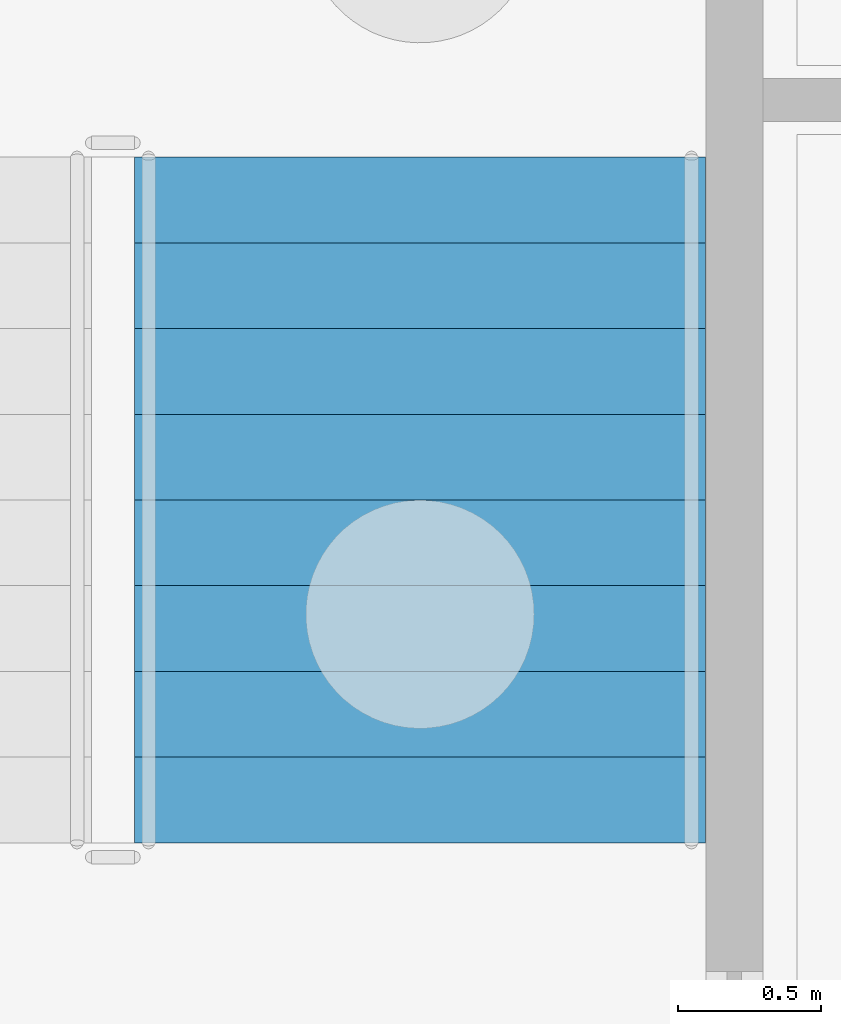
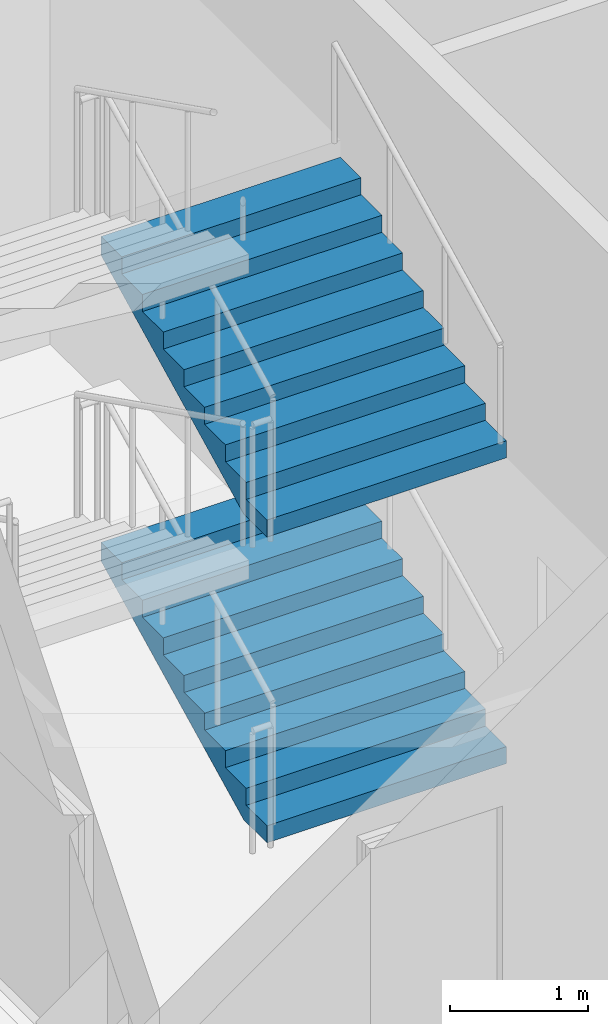
# One storey, part 81 of 129: 2 stair flights, 1 element without a shape of its own.
"""IFC4 building model written with IfcOpenShell, lengths in metres."""

from ifc_helpers import new_model, si_unit, direction, frame, origin, place, context, subcontext, project, spatial, faceted_brep, material, type_object, element, aggregate, save


model = new_model("IFC4")

# Units and contexts
model_context = context("Model", 3, precision=1e-05, world=origin(), true_north=direction((0.0, 1.0)))
body_context = subcontext(model_context, "Body", "Model", "MODEL_VIEW")
ifc_project = project(units=[si_unit("LENGTHUNIT", "METRE"), si_unit("AREAUNIT", "SQUARE_METRE"), si_unit("VOLUMEUNIT", "CUBIC_METRE"), si_unit("PLANEANGLEUNIT", "RADIAN"), si_unit("MASSUNIT", "GRAM", prefix="KILO")], contexts=[model_context])

# Site, building, storey
site_placement = place(None, origin())
site = spatial("IfcSite", under=ifc_project, at=site_placement, CompositionType="ELEMENT")
building_placement = place(site_placement, origin())
building = spatial("IfcBuilding", under=site, at=building_placement, Name="Kiln Court Media Centre", CompositionType="ELEMENT")
storey_placement = place(building_placement, origin())
storey = spatial("IfcBuildingStorey", under=building, at=storey_placement, Name="L00", CompositionType="ELEMENT", Elevation=0.0)

# Stair, stair flights
ifc_material_1 = material(Name="Concrete C40/50", Category="concrete")
stair_type = type_object("IfcStairType", Name="Concrete C40/50 dog-leg stair 2000 wide, 150 riser", PredefinedType="HALF_TURN_STAIR", material=ifc_material_1)
stair_placement = place(storey_placement, origin())
stair = element("IfcStair", 1, at=stair_placement, inside=storey, type_object=stair_type, Name="ST-09 L00", PredefinedType="HALF_TURN_STAIR")
ifc_material_2 = material(Name="Concrete C40/50", Category="concrete")
stair_flight_type = type_object("IfcStairFlightType", Name="Concrete C40/50 stair flight 2000 wide, 150 riser, 300 going", PredefinedType="STRAIGHT", material=ifc_material_2)
stair_flight_1_placement = place(storey_placement, frame((66.0, 28.0, 0.0), z_axis=(0.0, 0.0, 1.0), x_axis=(0.0, 1.0, 0.0)))
stair_flight_1 = element("IfcStairFlight", 2, at=stair_flight_1_placement, type_object=stair_flight_type, Name="L00-ST-5008 flight 5032", NumberOfRisers=9, NumberOfTreads=8, PredefinedType="STRAIGHT", RiserHeight=0.15, TreadLength=0.3, context=body_context, shape_type="Brep", body=[
    faceted_brep([(0.335205078125, -1.0, 0.0), (2.39990234375, -1.0, 1.032470703125), (2.39990234375, -1.0, 1.199951171875), (2.10009765625, -1.0, 1.199951171875), (2.10009765625, -1.0, 1.050048828125), (1.800048828125, -1.0, 1.050048828125), (1.800048828125, -1.0, 0.89990234375), (1.5, -1.0, 0.89990234375), (1.5, -1.0, 0.75), (1.199951171875, -1.0, 0.75), (1.199951171875, -1.0, 0.60009765625), (0.89990234375, -1.0, 0.60009765625), (0.89990234375, -1.0, 0.449951171875), (0.60009765625, -1.0, 0.449951171875), (0.60009765625, -1.0, 0.300048828125), (0.300048828125, -1.0, 0.300048828125), (0.300048828125, -1.0, 0.14990234375), (0.0, -1.0, 0.14990234375), (0.0, -1.0, 0.0), (0.0, 1.0, 0.0), (0.0, 1.0, 0.14990234375), (0.300048828125, 1.0, 0.14990234375), (0.300048828125, 1.0, 0.300048828125), (0.60009765625, 1.0, 0.300048828125), (0.60009765625, 1.0, 0.449951171875), (0.89990234375, 1.0, 0.449951171875), (0.89990234375, 1.0, 0.60009765625), (1.199951171875, 1.0, 0.60009765625), (1.199951171875, 1.0, 0.75), (1.5, 1.0, 0.75), (1.5, 1.0, 0.89990234375), (1.800048828125, 1.0, 0.89990234375), (1.800048828125, 1.0, 1.050048828125), (2.10009765625, 1.0, 1.050048828125), (2.10009765625, 1.0, 1.199951171875), (2.39990234375, 1.0, 1.199951171875), (2.39990234375, 1.0, 1.032470703125), (0.335205078125, 1.0, 0.0), (2.39990234375, 0.10009765625, 1.032470703125), (0.335205078125, 0.10009765625, 0.0), (2.39990234375, 0.080078125, 1.032470703125), (0.335205078125, 0.080078125, 0.0), (2.39990234375, 0.06005859375, 1.032470703125), (0.335205078125, 0.06005859375, 0.0), (2.39990234375, 0.0400390625, 1.032470703125), (0.335205078125, 0.0400390625, 0.0), (2.39990234375, 0.02001953125, 1.032470703125), (0.335205078125, 0.02001953125, 0.0), (2.39990234375, 0.0, 1.032470703125), (0.335205078125, 0.0, 0.0), (2.39990234375, -0.02001953125, 1.032470703125), (0.335205078125, -0.02001953125, 0.0), (2.39990234375, -0.0400390625, 1.032470703125), (0.335205078125, -0.0400390625, 0.0), (2.39990234375, -0.06005859375, 1.032470703125), (0.335205078125, -0.06005859375, 0.0), (2.39990234375, -0.080078125, 1.032470703125), (0.335205078125, -0.080078125, 0.0), (2.39990234375, -0.10009765625, 1.032470703125), (0.335205078125, -0.10009765625, 0.0), (2.39990234375, 0.10009765625, 1.199951171875), (2.39990234375, 0.080078125, 1.199951171875), (2.39990234375, 0.06005859375, 1.199951171875), (2.39990234375, 0.0400390625, 1.199951171875), (2.39990234375, 0.02001953125, 1.199951171875), (2.39990234375, 0.0, 1.199951171875), (2.39990234375, -0.02001953125, 1.199951171875), (2.39990234375, -0.0400390625, 1.199951171875), (2.39990234375, -0.06005859375, 1.199951171875), (2.39990234375, -0.080078125, 1.199951171875), (2.39990234375, -0.10009765625, 1.199951171875), (2.10009765625, 0.10009765625, 1.199951171875), (2.10009765625, 0.080078125, 1.199951171875), (2.10009765625, 0.06005859375, 1.199951171875), (2.10009765625, 0.0400390625, 1.199951171875), (2.10009765625, 0.02001953125, 1.199951171875), (2.10009765625, 0.0, 1.199951171875), (2.10009765625, -0.02001953125, 1.199951171875), (2.10009765625, -0.0400390625, 1.199951171875), (2.10009765625, -0.06005859375, 1.199951171875), (2.10009765625, -0.080078125, 1.199951171875), (2.10009765625, -0.10009765625, 1.199951171875), (2.10009765625, 0.10009765625, 1.050048828125), (2.10009765625, 0.080078125, 1.050048828125), (2.10009765625, 0.06005859375, 1.050048828125), (2.10009765625, 0.0400390625, 1.050048828125), (2.10009765625, 0.02001953125, 1.050048828125), (2.10009765625, 0.0, 1.050048828125), (2.10009765625, -0.02001953125, 1.050048828125), (2.10009765625, -0.0400390625, 1.050048828125), (2.10009765625, -0.06005859375, 1.050048828125), (2.10009765625, -0.080078125, 1.050048828125), (2.10009765625, -0.10009765625, 1.050048828125), (1.800048828125, 0.10009765625, 1.050048828125), (1.800048828125, 0.080078125, 1.050048828125), (1.800048828125, 0.06005859375, 1.050048828125), (1.800048828125, 0.0400390625, 1.050048828125), (1.800048828125, 0.02001953125, 1.050048828125), (1.800048828125, 0.0, 1.050048828125), (1.800048828125, -0.02001953125, 1.050048828125), (1.800048828125, -0.0400390625, 1.050048828125), (1.800048828125, -0.06005859375, 1.050048828125), (1.800048828125, -0.080078125, 1.050048828125), (1.800048828125, -0.10009765625, 1.050048828125), (1.800048828125, 0.10009765625, 0.89990234375), (1.800048828125, 0.080078125, 0.89990234375), (1.800048828125, 0.06005859375, 0.89990234375), (1.800048828125, 0.0400390625, 0.89990234375), (1.800048828125, 0.02001953125, 0.89990234375), (1.800048828125, 0.0, 0.89990234375), (1.800048828125, -0.02001953125, 0.89990234375), (1.800048828125, -0.0400390625, 0.89990234375), (1.800048828125, -0.06005859375, 0.89990234375), (1.800048828125, -0.080078125, 0.89990234375), (1.800048828125, -0.10009765625, 0.89990234375), (1.5, 0.10009765625, 0.89990234375), (1.5, 0.080078125, 0.89990234375), (1.5, 0.06005859375, 0.89990234375), (1.5, 0.0400390625, 0.89990234375), (1.5, 0.02001953125, 0.89990234375), (1.5, 0.0, 0.89990234375), (1.5, -0.02001953125, 0.89990234375), (1.5, -0.0400390625, 0.89990234375), (1.5, -0.06005859375, 0.89990234375), (1.5, -0.080078125, 0.89990234375), (1.5, -0.10009765625, 0.89990234375), (1.5, 0.10009765625, 0.75), (1.5, 0.080078125, 0.75), (1.5, 0.06005859375, 0.75), (1.5, 0.0400390625, 0.75), (1.5, 0.02001953125, 0.75), (1.5, 0.0, 0.75), (1.5, -0.02001953125, 0.75), (1.5, -0.0400390625, 0.75), (1.5, -0.06005859375, 0.75), (1.5, -0.080078125, 0.75), (1.5, -0.10009765625, 0.75), (1.199951171875, 0.10009765625, 0.75), (1.199951171875, 0.080078125, 0.75), (1.199951171875, 0.06005859375, 0.75), (1.199951171875, 0.0400390625, 0.75), (1.199951171875, 0.02001953125, 0.75), (1.199951171875, 0.0, 0.75), (1.199951171875, -0.02001953125, 0.75), (1.199951171875, -0.0400390625, 0.75), (1.199951171875, -0.06005859375, 0.75), (1.199951171875, -0.080078125, 0.75), (1.199951171875, -0.10009765625, 0.75), (1.199951171875, 0.10009765625, 0.60009765625), (1.199951171875, 0.080078125, 0.60009765625), (1.199951171875, 0.06005859375, 0.60009765625), (1.199951171875, 0.0400390625, 0.60009765625), (1.199951171875, 0.02001953125, 0.60009765625), (1.199951171875, 0.0, 0.60009765625), (1.199951171875, -0.02001953125, 0.60009765625), (1.199951171875, -0.0400390625, 0.60009765625), (1.199951171875, -0.06005859375, 0.60009765625), (1.199951171875, -0.080078125, 0.60009765625), (1.199951171875, -0.10009765625, 0.60009765625), (0.89990234375, 0.10009765625, 0.60009765625), (0.89990234375, 0.080078125, 0.60009765625), (0.89990234375, 0.06005859375, 0.60009765625), (0.89990234375, 0.0400390625, 0.60009765625), (0.89990234375, 0.02001953125, 0.60009765625), (0.89990234375, 0.0, 0.60009765625), (0.89990234375, -0.02001953125, 0.60009765625), (0.89990234375, -0.0400390625, 0.60009765625), (0.89990234375, -0.06005859375, 0.60009765625), (0.89990234375, -0.080078125, 0.60009765625), (0.89990234375, -0.10009765625, 0.60009765625), (0.89990234375, 0.10009765625, 0.449951171875), (0.89990234375, 0.080078125, 0.449951171875), (0.89990234375, 0.06005859375, 0.449951171875), (0.89990234375, 0.0400390625, 0.449951171875), (0.89990234375, 0.02001953125, 0.449951171875), (0.89990234375, 0.0, 0.449951171875), (0.89990234375, -0.02001953125, 0.449951171875), (0.89990234375, -0.0400390625, 0.449951171875), (0.89990234375, -0.06005859375, 0.449951171875), (0.89990234375, -0.080078125, 0.449951171875), (0.89990234375, -0.10009765625, 0.449951171875), (0.60009765625, 0.10009765625, 0.449951171875), (0.60009765625, 0.080078125, 0.449951171875), (0.60009765625, 0.06005859375, 0.449951171875), (0.60009765625, 0.0400390625, 0.449951171875), (0.60009765625, 0.02001953125, 0.449951171875), (0.60009765625, 0.0, 0.449951171875), (0.60009765625, -0.02001953125, 0.449951171875), (0.60009765625, -0.0400390625, 0.449951171875), (0.60009765625, -0.06005859375, 0.449951171875), (0.60009765625, -0.080078125, 0.449951171875), (0.60009765625, -0.10009765625, 0.449951171875), (0.60009765625, 0.10009765625, 0.300048828125), (0.60009765625, 0.080078125, 0.300048828125), (0.60009765625, 0.06005859375, 0.300048828125), (0.60009765625, 0.0400390625, 0.300048828125), (0.60009765625, 0.02001953125, 0.300048828125), (0.60009765625, 0.0, 0.300048828125), (0.60009765625, -0.02001953125, 0.300048828125), (0.60009765625, -0.0400390625, 0.300048828125), (0.60009765625, -0.06005859375, 0.300048828125), (0.60009765625, -0.080078125, 0.300048828125), (0.60009765625, -0.10009765625, 0.300048828125), (0.300048828125, 0.10009765625, 0.300048828125), (0.300048828125, 0.080078125, 0.300048828125), (0.300048828125, 0.06005859375, 0.300048828125), (0.300048828125, 0.0400390625, 0.300048828125), (0.300048828125, 0.02001953125, 0.300048828125), (0.300048828125, 0.0, 0.300048828125), (0.300048828125, -0.02001953125, 0.300048828125), (0.300048828125, -0.0400390625, 0.300048828125), (0.300048828125, -0.06005859375, 0.300048828125), (0.300048828125, -0.080078125, 0.300048828125), (0.300048828125, -0.10009765625, 0.300048828125), (0.300048828125, 0.10009765625, 0.14990234375), (0.300048828125, 0.080078125, 0.14990234375), (0.300048828125, 0.06005859375, 0.14990234375), (0.300048828125, 0.0400390625, 0.14990234375), (0.300048828125, 0.02001953125, 0.14990234375), (0.300048828125, 0.0, 0.14990234375), (0.300048828125, -0.02001953125, 0.14990234375), (0.300048828125, -0.0400390625, 0.14990234375), (0.300048828125, -0.06005859375, 0.14990234375), (0.300048828125, -0.080078125, 0.14990234375), (0.300048828125, -0.10009765625, 0.14990234375), (0.0, 0.10009765625, 0.14990234375), (0.0, 0.080078125, 0.14990234375), (0.0, 0.06005859375, 0.14990234375), (0.0, 0.0400390625, 0.14990234375), (0.0, 0.02001953125, 0.14990234375), (0.0, 0.0, 0.14990234375), (0.0, -0.02001953125, 0.14990234375), (0.0, -0.0400390625, 0.14990234375), (0.0, -0.06005859375, 0.14990234375), (0.0, -0.080078125, 0.14990234375), (0.0, -0.10009765625, 0.14990234375), (0.0, 0.10009765625, 0.0), (0.0, 0.080078125, 0.0), (0.0, 0.06005859375, 0.0), (0.0, 0.0400390625, 0.0), (0.0, 0.02001953125, 0.0), (0.0, 0.0, 0.0), (0.0, -0.02001953125, 0.0), (0.0, -0.0400390625, 0.0), (0.0, -0.06005859375, 0.0), (0.0, -0.080078125, 0.0), (0.0, -0.10009765625, 0.0)], [[[0, 1, 2, 3, 4, 5, 6, 7, 8, 9, 10, 11, 12, 13, 14, 15, 16, 17, 18]], [[19, 20, 21, 22, 23, 24, 25, 26, 27, 28, 29, 30, 31, 32, 33, 34, 35, 36, 37]], [[37, 36, 38, 39]], [[39, 38, 40, 41]], [[41, 40, 42, 43]], [[43, 42, 44, 45]], [[45, 44, 46, 47]], [[47, 46, 48, 49]], [[49, 48, 50, 51]], [[51, 50, 52, 53]], [[53, 52, 54, 55]], [[55, 54, 56, 57]], [[57, 56, 58, 59]], [[59, 58, 1, 0]], [[36, 35, 60, 38]], [[38, 60, 61, 40]], [[40, 61, 62, 42]], [[42, 62, 63, 44]], [[44, 63, 64, 46]], [[46, 64, 65, 48]], [[48, 65, 66, 50]], [[50, 66, 67, 52]], [[52, 67, 68, 54]], [[54, 68, 69, 56]], [[56, 69, 70, 58]], [[58, 70, 2, 1]], [[35, 34, 71, 60]], [[60, 71, 72, 61]], [[61, 72, 73, 62]], [[62, 73, 74, 63]], [[63, 74, 75, 64]], [[64, 75, 76, 65]], [[65, 76, 77, 66]], [[66, 77, 78, 67]], [[67, 78, 79, 68]], [[68, 79, 80, 69]], [[69, 80, 81, 70]], [[70, 81, 3, 2]], [[34, 33, 82, 71]], [[71, 82, 83, 72]], [[72, 83, 84, 73]], [[73, 84, 85, 74]], [[74, 85, 86, 75]], [[75, 86, 87, 76]], [[76, 87, 88, 77]], [[77, 88, 89, 78]], [[78, 89, 90, 79]], [[79, 90, 91, 80]], [[80, 91, 92, 81]], [[81, 92, 4, 3]], [[33, 32, 93, 82]], [[82, 93, 94, 83]], [[83, 94, 95, 84]], [[84, 95, 96, 85]], [[85, 96, 97, 86]], [[86, 97, 98, 87]], [[87, 98, 99, 88]], [[88, 99, 100, 89]], [[89, 100, 101, 90]], [[90, 101, 102, 91]], [[91, 102, 103, 92]], [[92, 103, 5, 4]], [[32, 31, 104, 93]], [[93, 104, 105, 94]], [[94, 105, 106, 95]], [[95, 106, 107, 96]], [[96, 107, 108, 97]], [[97, 108, 109, 98]], [[98, 109, 110, 99]], [[99, 110, 111, 100]], [[100, 111, 112, 101]], [[101, 112, 113, 102]], [[102, 113, 114, 103]], [[103, 114, 6, 5]], [[31, 30, 115, 104]], [[104, 115, 116, 105]], [[105, 116, 117, 106]], [[106, 117, 118, 107]], [[107, 118, 119, 108]], [[108, 119, 120, 109]], [[109, 120, 121, 110]], [[110, 121, 122, 111]], [[111, 122, 123, 112]], [[112, 123, 124, 113]], [[113, 124, 125, 114]], [[114, 125, 7, 6]], [[30, 29, 126, 115]], [[115, 126, 127, 116]], [[116, 127, 128, 117]], [[117, 128, 129, 118]], [[118, 129, 130, 119]], [[119, 130, 131, 120]], [[120, 131, 132, 121]], [[121, 132, 133, 122]], [[122, 133, 134, 123]], [[123, 134, 135, 124]], [[124, 135, 136, 125]], [[125, 136, 8, 7]], [[29, 28, 137, 126]], [[126, 137, 138, 127]], [[127, 138, 139, 128]], [[128, 139, 140, 129]], [[129, 140, 141, 130]], [[130, 141, 142, 131]], [[131, 142, 143, 132]], [[132, 143, 144, 133]], [[133, 144, 145, 134]], [[134, 145, 146, 135]], [[135, 146, 147, 136]], [[136, 147, 9, 8]], [[28, 27, 148, 137]], [[137, 148, 149, 138]], [[138, 149, 150, 139]], [[139, 150, 151, 140]], [[140, 151, 152, 141]], [[141, 152, 153, 142]], [[142, 153, 154, 143]], [[143, 154, 155, 144]], [[144, 155, 156, 145]], [[145, 156, 157, 146]], [[146, 157, 158, 147]], [[147, 158, 10, 9]], [[27, 26, 159, 148]], [[148, 159, 160, 149]], [[149, 160, 161, 150]], [[150, 161, 162, 151]], [[151, 162, 163, 152]], [[152, 163, 164, 153]], [[153, 164, 165, 154]], [[154, 165, 166, 155]], [[155, 166, 167, 156]], [[156, 167, 168, 157]], [[157, 168, 169, 158]], [[158, 169, 11, 10]], [[26, 25, 170, 159]], [[159, 170, 171, 160]], [[160, 171, 172, 161]], [[161, 172, 173, 162]], [[162, 173, 174, 163]], [[163, 174, 175, 164]], [[164, 175, 176, 165]], [[165, 176, 177, 166]], [[166, 177, 178, 167]], [[167, 178, 179, 168]], [[168, 179, 180, 169]], [[169, 180, 12, 11]], [[25, 24, 181, 170]], [[170, 181, 182, 171]], [[171, 182, 183, 172]], [[172, 183, 184, 173]], [[173, 184, 185, 174]], [[174, 185, 186, 175]], [[175, 186, 187, 176]], [[176, 187, 188, 177]], [[177, 188, 189, 178]], [[178, 189, 190, 179]], [[179, 190, 191, 180]], [[180, 191, 13, 12]], [[24, 23, 192, 181]], [[181, 192, 193, 182]], [[182, 193, 194, 183]], [[183, 194, 195, 184]], [[184, 195, 196, 185]], [[185, 196, 197, 186]], [[186, 197, 198, 187]], [[187, 198, 199, 188]], [[188, 199, 200, 189]], [[189, 200, 201, 190]], [[190, 201, 202, 191]], [[191, 202, 14, 13]], [[23, 22, 203, 192]], [[192, 203, 204, 193]], [[193, 204, 205, 194]], [[194, 205, 206, 195]], [[195, 206, 207, 196]], [[196, 207, 208, 197]], [[197, 208, 209, 198]], [[198, 209, 210, 199]], [[199, 210, 211, 200]], [[200, 211, 212, 201]], [[201, 212, 213, 202]], [[202, 213, 15, 14]], [[22, 21, 214, 203]], [[203, 214, 215, 204]], [[204, 215, 216, 205]], [[205, 216, 217, 206]], [[206, 217, 218, 207]], [[207, 218, 219, 208]], [[208, 219, 220, 209]], [[209, 220, 221, 210]], [[210, 221, 222, 211]], [[211, 222, 223, 212]], [[212, 223, 224, 213]], [[213, 224, 16, 15]], [[21, 20, 225, 214]], [[214, 225, 226, 215]], [[215, 226, 227, 216]], [[216, 227, 228, 217]], [[217, 228, 229, 218]], [[218, 229, 230, 219]], [[219, 230, 231, 220]], [[220, 231, 232, 221]], [[221, 232, 233, 222]], [[222, 233, 234, 223]], [[223, 234, 235, 224]], [[224, 235, 17, 16]], [[20, 19, 236, 225]], [[225, 236, 237, 226]], [[226, 237, 238, 227]], [[227, 238, 239, 228]], [[228, 239, 240, 229]], [[229, 240, 241, 230]], [[230, 241, 242, 231]], [[231, 242, 243, 232]], [[232, 243, 244, 233]], [[233, 244, 245, 234]], [[234, 245, 246, 235]], [[235, 246, 18, 17]], [[19, 37, 39, 236]], [[236, 39, 41, 237]], [[237, 41, 43, 238]], [[238, 43, 45, 239]], [[239, 45, 47, 240]], [[240, 47, 49, 241]], [[241, 49, 51, 242]], [[242, 51, 53, 243]], [[243, 53, 55, 244]], [[244, 55, 57, 245]], [[245, 57, 59, 246]], [[246, 59, 0, 18]]]),
])
stair_flight_2_placement = place(storey_placement, frame((66.0, 28.0, 2.699951171875), z_axis=(0.0, 0.0, 1.0), x_axis=(0.0, 1.0, 0.0)))
stair_flight_2 = element("IfcStairFlight", 3, at=stair_flight_2_placement, type_object=stair_flight_type, Name="L00-ST-5008 flight 5034", NumberOfRisers=9, NumberOfTreads=8, PredefinedType="STRAIGHT", RiserHeight=0.15, TreadLength=0.3, context=body_context, shape_type="Brep", body=[
    faceted_brep([(0.335205078125, -1.0, 0.0), (2.39990234375, -1.0, 1.032470703125), (2.39990234375, -1.0, 1.199951171875), (2.10009765625, -1.0, 1.199951171875), (2.10009765625, -1.0, 1.050048828125), (1.800048828125, -1.0, 1.050048828125), (1.800048828125, -1.0, 0.89990234375), (1.5, -1.0, 0.89990234375), (1.5, -1.0, 0.75), (1.199951171875, -1.0, 0.75), (1.199951171875, -1.0, 0.60009765625), (0.89990234375, -1.0, 0.60009765625), (0.89990234375, -1.0, 0.449951171875), (0.60009765625, -1.0, 0.449951171875), (0.60009765625, -1.0, 0.300048828125), (0.300048828125, -1.0, 0.300048828125), (0.300048828125, -1.0, 0.14990234375), (0.0, -1.0, 0.14990234375), (0.0, -1.0, 0.0), (0.0, 1.0, 0.0), (0.0, 1.0, 0.14990234375), (0.300048828125, 1.0, 0.14990234375), (0.300048828125, 1.0, 0.300048828125), (0.60009765625, 1.0, 0.300048828125), (0.60009765625, 1.0, 0.449951171875), (0.89990234375, 1.0, 0.449951171875), (0.89990234375, 1.0, 0.60009765625), (1.199951171875, 1.0, 0.60009765625), (1.199951171875, 1.0, 0.75), (1.5, 1.0, 0.75), (1.5, 1.0, 0.89990234375), (1.800048828125, 1.0, 0.89990234375), (1.800048828125, 1.0, 1.050048828125), (2.10009765625, 1.0, 1.050048828125), (2.10009765625, 1.0, 1.199951171875), (2.39990234375, 1.0, 1.199951171875), (2.39990234375, 1.0, 1.032470703125), (0.335205078125, 1.0, 0.0), (2.39990234375, 0.10009765625, 1.032470703125), (0.335205078125, 0.10009765625, 0.0), (2.39990234375, 0.080078125, 1.032470703125), (0.335205078125, 0.080078125, 0.0), (2.39990234375, 0.06005859375, 1.032470703125), (0.335205078125, 0.06005859375, 0.0), (2.39990234375, 0.0400390625, 1.032470703125), (0.335205078125, 0.0400390625, 0.0), (2.39990234375, 0.02001953125, 1.032470703125), (0.335205078125, 0.02001953125, 0.0), (2.39990234375, 0.0, 1.032470703125), (0.335205078125, 0.0, 0.0), (2.39990234375, -0.02001953125, 1.032470703125), (0.335205078125, -0.02001953125, 0.0), (2.39990234375, -0.0400390625, 1.032470703125), (0.335205078125, -0.0400390625, 0.0), (2.39990234375, -0.06005859375, 1.032470703125), (0.335205078125, -0.06005859375, 0.0), (2.39990234375, -0.080078125, 1.032470703125), (0.335205078125, -0.080078125, 0.0), (2.39990234375, -0.10009765625, 1.032470703125), (0.335205078125, -0.10009765625, 0.0), (2.39990234375, 0.10009765625, 1.199951171875), (2.39990234375, 0.080078125, 1.199951171875), (2.39990234375, 0.06005859375, 1.199951171875), (2.39990234375, 0.0400390625, 1.199951171875), (2.39990234375, 0.02001953125, 1.199951171875), (2.39990234375, 0.0, 1.199951171875), (2.39990234375, -0.02001953125, 1.199951171875), (2.39990234375, -0.0400390625, 1.199951171875), (2.39990234375, -0.06005859375, 1.199951171875), (2.39990234375, -0.080078125, 1.199951171875), (2.39990234375, -0.10009765625, 1.199951171875), (2.10009765625, 0.10009765625, 1.199951171875), (2.10009765625, 0.080078125, 1.199951171875), (2.10009765625, 0.06005859375, 1.199951171875), (2.10009765625, 0.0400390625, 1.199951171875), (2.10009765625, 0.02001953125, 1.199951171875), (2.10009765625, 0.0, 1.199951171875), (2.10009765625, -0.02001953125, 1.199951171875), (2.10009765625, -0.0400390625, 1.199951171875), (2.10009765625, -0.06005859375, 1.199951171875), (2.10009765625, -0.080078125, 1.199951171875), (2.10009765625, -0.10009765625, 1.199951171875), (2.10009765625, 0.10009765625, 1.050048828125), (2.10009765625, 0.080078125, 1.050048828125), (2.10009765625, 0.06005859375, 1.050048828125), (2.10009765625, 0.0400390625, 1.050048828125), (2.10009765625, 0.02001953125, 1.050048828125), (2.10009765625, 0.0, 1.050048828125), (2.10009765625, -0.02001953125, 1.050048828125), (2.10009765625, -0.0400390625, 1.050048828125), (2.10009765625, -0.06005859375, 1.050048828125), (2.10009765625, -0.080078125, 1.050048828125), (2.10009765625, -0.10009765625, 1.050048828125), (1.800048828125, 0.10009765625, 1.050048828125), (1.800048828125, 0.080078125, 1.050048828125), (1.800048828125, 0.06005859375, 1.050048828125), (1.800048828125, 0.0400390625, 1.050048828125), (1.800048828125, 0.02001953125, 1.050048828125), (1.800048828125, 0.0, 1.050048828125), (1.800048828125, -0.02001953125, 1.050048828125), (1.800048828125, -0.0400390625, 1.050048828125), (1.800048828125, -0.06005859375, 1.050048828125), (1.800048828125, -0.080078125, 1.050048828125), (1.800048828125, -0.10009765625, 1.050048828125), (1.800048828125, 0.10009765625, 0.89990234375), (1.800048828125, 0.080078125, 0.89990234375), (1.800048828125, 0.06005859375, 0.89990234375), (1.800048828125, 0.0400390625, 0.89990234375), (1.800048828125, 0.02001953125, 0.89990234375), (1.800048828125, 0.0, 0.89990234375), (1.800048828125, -0.02001953125, 0.89990234375), (1.800048828125, -0.0400390625, 0.89990234375), (1.800048828125, -0.06005859375, 0.89990234375), (1.800048828125, -0.080078125, 0.89990234375), (1.800048828125, -0.10009765625, 0.89990234375), (1.5, 0.10009765625, 0.89990234375), (1.5, 0.080078125, 0.89990234375), (1.5, 0.06005859375, 0.89990234375), (1.5, 0.0400390625, 0.89990234375), (1.5, 0.02001953125, 0.89990234375), (1.5, 0.0, 0.89990234375), (1.5, -0.02001953125, 0.89990234375), (1.5, -0.0400390625, 0.89990234375), (1.5, -0.06005859375, 0.89990234375), (1.5, -0.080078125, 0.89990234375), (1.5, -0.10009765625, 0.89990234375), (1.5, 0.10009765625, 0.75), (1.5, 0.080078125, 0.75), (1.5, 0.06005859375, 0.75), (1.5, 0.0400390625, 0.75), (1.5, 0.02001953125, 0.75), (1.5, 0.0, 0.75), (1.5, -0.02001953125, 0.75), (1.5, -0.0400390625, 0.75), (1.5, -0.06005859375, 0.75), (1.5, -0.080078125, 0.75), (1.5, -0.10009765625, 0.75), (1.199951171875, 0.10009765625, 0.75), (1.199951171875, 0.080078125, 0.75), (1.199951171875, 0.06005859375, 0.75), (1.199951171875, 0.0400390625, 0.75), (1.199951171875, 0.02001953125, 0.75), (1.199951171875, 0.0, 0.75), (1.199951171875, -0.02001953125, 0.75), (1.199951171875, -0.0400390625, 0.75), (1.199951171875, -0.06005859375, 0.75), (1.199951171875, -0.080078125, 0.75), (1.199951171875, -0.10009765625, 0.75), (1.199951171875, 0.10009765625, 0.60009765625), (1.199951171875, 0.080078125, 0.60009765625), (1.199951171875, 0.06005859375, 0.60009765625), (1.199951171875, 0.0400390625, 0.60009765625), (1.199951171875, 0.02001953125, 0.60009765625), (1.199951171875, 0.0, 0.60009765625), (1.199951171875, -0.02001953125, 0.60009765625), (1.199951171875, -0.0400390625, 0.60009765625), (1.199951171875, -0.06005859375, 0.60009765625), (1.199951171875, -0.080078125, 0.60009765625), (1.199951171875, -0.10009765625, 0.60009765625), (0.89990234375, 0.10009765625, 0.60009765625), (0.89990234375, 0.080078125, 0.60009765625), (0.89990234375, 0.06005859375, 0.60009765625), (0.89990234375, 0.0400390625, 0.60009765625), (0.89990234375, 0.02001953125, 0.60009765625), (0.89990234375, 0.0, 0.60009765625), (0.89990234375, -0.02001953125, 0.60009765625), (0.89990234375, -0.0400390625, 0.60009765625), (0.89990234375, -0.06005859375, 0.60009765625), (0.89990234375, -0.080078125, 0.60009765625), (0.89990234375, -0.10009765625, 0.60009765625), (0.89990234375, 0.10009765625, 0.449951171875), (0.89990234375, 0.080078125, 0.449951171875), (0.89990234375, 0.06005859375, 0.449951171875), (0.89990234375, 0.0400390625, 0.449951171875), (0.89990234375, 0.02001953125, 0.449951171875), (0.89990234375, 0.0, 0.449951171875), (0.89990234375, -0.02001953125, 0.449951171875), (0.89990234375, -0.0400390625, 0.449951171875), (0.89990234375, -0.06005859375, 0.449951171875), (0.89990234375, -0.080078125, 0.449951171875), (0.89990234375, -0.10009765625, 0.449951171875), (0.60009765625, 0.10009765625, 0.449951171875), (0.60009765625, 0.080078125, 0.449951171875), (0.60009765625, 0.06005859375, 0.449951171875), (0.60009765625, 0.0400390625, 0.449951171875), (0.60009765625, 0.02001953125, 0.449951171875), (0.60009765625, 0.0, 0.449951171875), (0.60009765625, -0.02001953125, 0.449951171875), (0.60009765625, -0.0400390625, 0.449951171875), (0.60009765625, -0.06005859375, 0.449951171875), (0.60009765625, -0.080078125, 0.449951171875), (0.60009765625, -0.10009765625, 0.449951171875), (0.60009765625, 0.10009765625, 0.300048828125), (0.60009765625, 0.080078125, 0.300048828125), (0.60009765625, 0.06005859375, 0.300048828125), (0.60009765625, 0.0400390625, 0.300048828125), (0.60009765625, 0.02001953125, 0.300048828125), (0.60009765625, 0.0, 0.300048828125), (0.60009765625, -0.02001953125, 0.300048828125), (0.60009765625, -0.0400390625, 0.300048828125), (0.60009765625, -0.06005859375, 0.300048828125), (0.60009765625, -0.080078125, 0.300048828125), (0.60009765625, -0.10009765625, 0.300048828125), (0.300048828125, 0.10009765625, 0.300048828125), (0.300048828125, 0.080078125, 0.300048828125), (0.300048828125, 0.06005859375, 0.300048828125), (0.300048828125, 0.0400390625, 0.300048828125), (0.300048828125, 0.02001953125, 0.300048828125), (0.300048828125, 0.0, 0.300048828125), (0.300048828125, -0.02001953125, 0.300048828125), (0.300048828125, -0.0400390625, 0.300048828125), (0.300048828125, -0.06005859375, 0.300048828125), (0.300048828125, -0.080078125, 0.300048828125), (0.300048828125, -0.10009765625, 0.300048828125), (0.300048828125, 0.10009765625, 0.14990234375), (0.300048828125, 0.080078125, 0.14990234375), (0.300048828125, 0.06005859375, 0.14990234375), (0.300048828125, 0.0400390625, 0.14990234375), (0.300048828125, 0.02001953125, 0.14990234375), (0.300048828125, 0.0, 0.14990234375), (0.300048828125, -0.02001953125, 0.14990234375), (0.300048828125, -0.0400390625, 0.14990234375), (0.300048828125, -0.06005859375, 0.14990234375), (0.300048828125, -0.080078125, 0.14990234375), (0.300048828125, -0.10009765625, 0.14990234375), (0.0, 0.10009765625, 0.14990234375), (0.0, 0.080078125, 0.14990234375), (0.0, 0.06005859375, 0.14990234375), (0.0, 0.0400390625, 0.14990234375), (0.0, 0.02001953125, 0.14990234375), (0.0, 0.0, 0.14990234375), (0.0, -0.02001953125, 0.14990234375), (0.0, -0.0400390625, 0.14990234375), (0.0, -0.06005859375, 0.14990234375), (0.0, -0.080078125, 0.14990234375), (0.0, -0.10009765625, 0.14990234375), (0.0, 0.10009765625, 0.0), (0.0, 0.080078125, 0.0), (0.0, 0.06005859375, 0.0), (0.0, 0.0400390625, 0.0), (0.0, 0.02001953125, 0.0), (0.0, 0.0, 0.0), (0.0, -0.02001953125, 0.0), (0.0, -0.0400390625, 0.0), (0.0, -0.06005859375, 0.0), (0.0, -0.080078125, 0.0), (0.0, -0.10009765625, 0.0)], [[[0, 1, 2, 3, 4, 5, 6, 7, 8, 9, 10, 11, 12, 13, 14, 15, 16, 17, 18]], [[19, 20, 21, 22, 23, 24, 25, 26, 27, 28, 29, 30, 31, 32, 33, 34, 35, 36, 37]], [[37, 36, 38, 39]], [[39, 38, 40, 41]], [[41, 40, 42, 43]], [[43, 42, 44, 45]], [[45, 44, 46, 47]], [[47, 46, 48, 49]], [[49, 48, 50, 51]], [[51, 50, 52, 53]], [[53, 52, 54, 55]], [[55, 54, 56, 57]], [[57, 56, 58, 59]], [[59, 58, 1, 0]], [[36, 35, 60, 38]], [[38, 60, 61, 40]], [[40, 61, 62, 42]], [[42, 62, 63, 44]], [[44, 63, 64, 46]], [[46, 64, 65, 48]], [[48, 65, 66, 50]], [[50, 66, 67, 52]], [[52, 67, 68, 54]], [[54, 68, 69, 56]], [[56, 69, 70, 58]], [[58, 70, 2, 1]], [[35, 34, 71, 60]], [[60, 71, 72, 61]], [[61, 72, 73, 62]], [[62, 73, 74, 63]], [[63, 74, 75, 64]], [[64, 75, 76, 65]], [[65, 76, 77, 66]], [[66, 77, 78, 67]], [[67, 78, 79, 68]], [[68, 79, 80, 69]], [[69, 80, 81, 70]], [[70, 81, 3, 2]], [[34, 33, 82, 71]], [[71, 82, 83, 72]], [[72, 83, 84, 73]], [[73, 84, 85, 74]], [[74, 85, 86, 75]], [[75, 86, 87, 76]], [[76, 87, 88, 77]], [[77, 88, 89, 78]], [[78, 89, 90, 79]], [[79, 90, 91, 80]], [[80, 91, 92, 81]], [[81, 92, 4, 3]], [[33, 32, 93, 82]], [[82, 93, 94, 83]], [[83, 94, 95, 84]], [[84, 95, 96, 85]], [[85, 96, 97, 86]], [[86, 97, 98, 87]], [[87, 98, 99, 88]], [[88, 99, 100, 89]], [[89, 100, 101, 90]], [[90, 101, 102, 91]], [[91, 102, 103, 92]], [[92, 103, 5, 4]], [[32, 31, 104, 93]], [[93, 104, 105, 94]], [[94, 105, 106, 95]], [[95, 106, 107, 96]], [[96, 107, 108, 97]], [[97, 108, 109, 98]], [[98, 109, 110, 99]], [[99, 110, 111, 100]], [[100, 111, 112, 101]], [[101, 112, 113, 102]], [[102, 113, 114, 103]], [[103, 114, 6, 5]], [[31, 30, 115, 104]], [[104, 115, 116, 105]], [[105, 116, 117, 106]], [[106, 117, 118, 107]], [[107, 118, 119, 108]], [[108, 119, 120, 109]], [[109, 120, 121, 110]], [[110, 121, 122, 111]], [[111, 122, 123, 112]], [[112, 123, 124, 113]], [[113, 124, 125, 114]], [[114, 125, 7, 6]], [[30, 29, 126, 115]], [[115, 126, 127, 116]], [[116, 127, 128, 117]], [[117, 128, 129, 118]], [[118, 129, 130, 119]], [[119, 130, 131, 120]], [[120, 131, 132, 121]], [[121, 132, 133, 122]], [[122, 133, 134, 123]], [[123, 134, 135, 124]], [[124, 135, 136, 125]], [[125, 136, 8, 7]], [[29, 28, 137, 126]], [[126, 137, 138, 127]], [[127, 138, 139, 128]], [[128, 139, 140, 129]], [[129, 140, 141, 130]], [[130, 141, 142, 131]], [[131, 142, 143, 132]], [[132, 143, 144, 133]], [[133, 144, 145, 134]], [[134, 145, 146, 135]], [[135, 146, 147, 136]], [[136, 147, 9, 8]], [[28, 27, 148, 137]], [[137, 148, 149, 138]], [[138, 149, 150, 139]], [[139, 150, 151, 140]], [[140, 151, 152, 141]], [[141, 152, 153, 142]], [[142, 153, 154, 143]], [[143, 154, 155, 144]], [[144, 155, 156, 145]], [[145, 156, 157, 146]], [[146, 157, 158, 147]], [[147, 158, 10, 9]], [[27, 26, 159, 148]], [[148, 159, 160, 149]], [[149, 160, 161, 150]], [[150, 161, 162, 151]], [[151, 162, 163, 152]], [[152, 163, 164, 153]], [[153, 164, 165, 154]], [[154, 165, 166, 155]], [[155, 166, 167, 156]], [[156, 167, 168, 157]], [[157, 168, 169, 158]], [[158, 169, 11, 10]], [[26, 25, 170, 159]], [[159, 170, 171, 160]], [[160, 171, 172, 161]], [[161, 172, 173, 162]], [[162, 173, 174, 163]], [[163, 174, 175, 164]], [[164, 175, 176, 165]], [[165, 176, 177, 166]], [[166, 177, 178, 167]], [[167, 178, 179, 168]], [[168, 179, 180, 169]], [[169, 180, 12, 11]], [[25, 24, 181, 170]], [[170, 181, 182, 171]], [[171, 182, 183, 172]], [[172, 183, 184, 173]], [[173, 184, 185, 174]], [[174, 185, 186, 175]], [[175, 186, 187, 176]], [[176, 187, 188, 177]], [[177, 188, 189, 178]], [[178, 189, 190, 179]], [[179, 190, 191, 180]], [[180, 191, 13, 12]], [[24, 23, 192, 181]], [[181, 192, 193, 182]], [[182, 193, 194, 183]], [[183, 194, 195, 184]], [[184, 195, 196, 185]], [[185, 196, 197, 186]], [[186, 197, 198, 187]], [[187, 198, 199, 188]], [[188, 199, 200, 189]], [[189, 200, 201, 190]], [[190, 201, 202, 191]], [[191, 202, 14, 13]], [[23, 22, 203, 192]], [[192, 203, 204, 193]], [[193, 204, 205, 194]], [[194, 205, 206, 195]], [[195, 206, 207, 196]], [[196, 207, 208, 197]], [[197, 208, 209, 198]], [[198, 209, 210, 199]], [[199, 210, 211, 200]], [[200, 211, 212, 201]], [[201, 212, 213, 202]], [[202, 213, 15, 14]], [[22, 21, 214, 203]], [[203, 214, 215, 204]], [[204, 215, 216, 205]], [[205, 216, 217, 206]], [[206, 217, 218, 207]], [[207, 218, 219, 208]], [[208, 219, 220, 209]], [[209, 220, 221, 210]], [[210, 221, 222, 211]], [[211, 222, 223, 212]], [[212, 223, 224, 213]], [[213, 224, 16, 15]], [[21, 20, 225, 214]], [[214, 225, 226, 215]], [[215, 226, 227, 216]], [[216, 227, 228, 217]], [[217, 228, 229, 218]], [[218, 229, 230, 219]], [[219, 230, 231, 220]], [[220, 231, 232, 221]], [[221, 232, 233, 222]], [[222, 233, 234, 223]], [[223, 234, 235, 224]], [[224, 235, 17, 16]], [[20, 19, 236, 225]], [[225, 236, 237, 226]], [[226, 237, 238, 227]], [[227, 238, 239, 228]], [[228, 239, 240, 229]], [[229, 240, 241, 230]], [[230, 241, 242, 231]], [[231, 242, 243, 232]], [[232, 243, 244, 233]], [[233, 244, 245, 234]], [[234, 245, 246, 235]], [[235, 246, 18, 17]], [[19, 37, 39, 236]], [[236, 39, 41, 237]], [[237, 41, 43, 238]], [[238, 43, 45, 239]], [[239, 45, 47, 240]], [[240, 47, 49, 241]], [[241, 49, 51, 242]], [[242, 51, 53, 243]], [[243, 53, 55, 244]], [[244, 55, 57, 245]], [[245, 57, 59, 246]], [[246, 59, 0, 18]]]),
])
aggregate(stair, [stair_flight_1, stair_flight_2])

save(model, "model.ifc")
